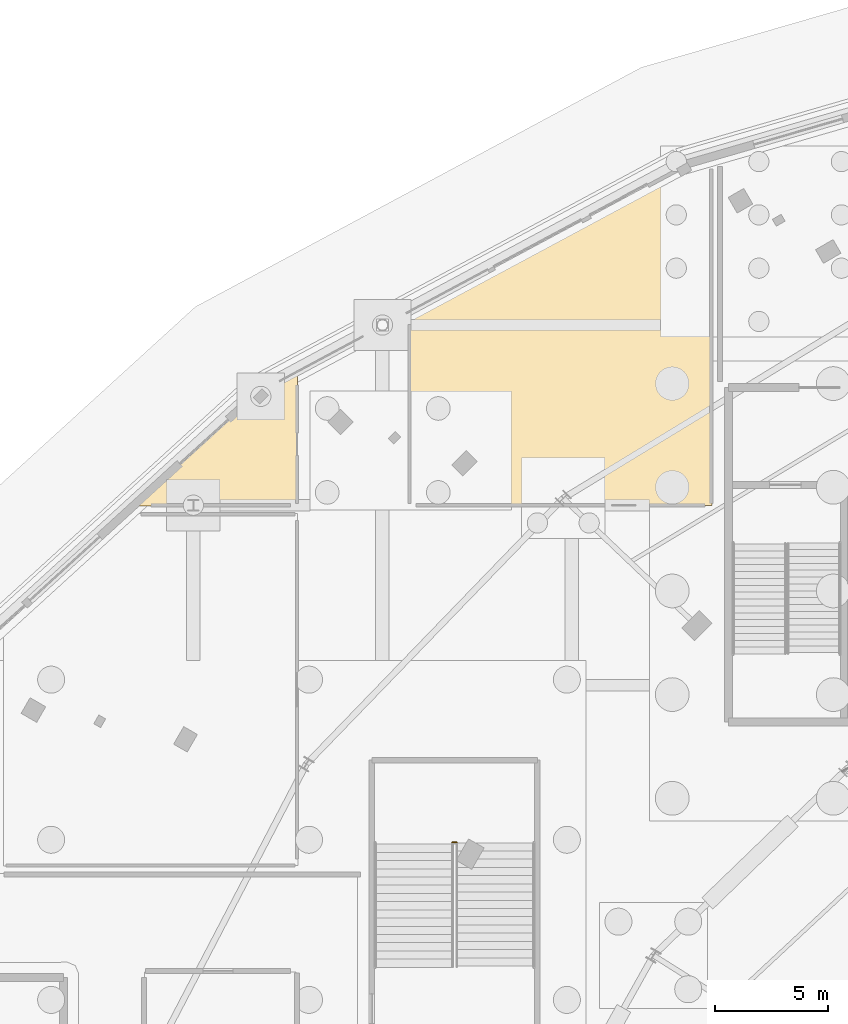
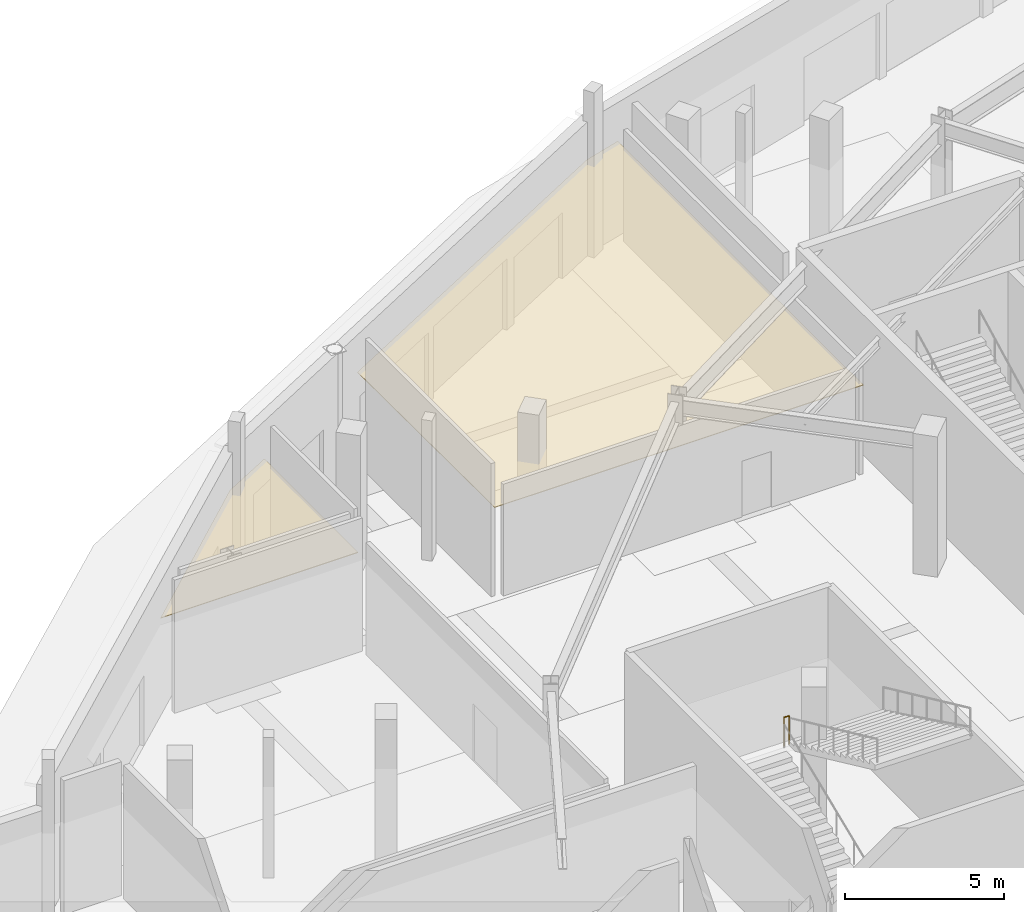
# One storey, part 78 of 93: 2 coverings, 1 railing.
"""IFC4 building model written with IfcOpenShell, lengths in metres."""

import ifcopenshell
import ifcopenshell.guid

model = None  # the IFC model being written
_history = None  # IfcOwnerHistory: only IFC2X3 demands one
_inside = {}  # id of a spatial element -> (the spatial element, [elements in it])
_under = {}  # id of a project, library or spatial element -> (it, [spatial elements below it])
_declared = {}  # id of a project -> (the project, [libraries it declares])
_typed = {}  # id of a type object -> (the type object, [elements of that type])
_made_of = {}  # id of a material, layer set ... -> (it, [elements and type objects made of it])


def new_model(schema):
    """Start an empty IFC model of exactly this schema.

    Asked for "IFC4X3", IfcOpenShell would pick the latest addendum, in which some entities
    have other attributes; the version numbers below select the first issue.
    IFC2X3 requires an IfcOwnerHistory on every rooted entity: one is made here for all.
    """
    global model, _history
    if schema == "IFC4X3":
        model = ifcopenshell.file(schema_version=(4, 3, 0, 0))
    else:
        model = ifcopenshell.file(schema=schema)
    _inside.clear()
    _under.clear()
    _declared.clear()
    _typed.clear()
    _made_of.clear()
    _history = None
    if model.schema == "IFC2X3":
        org = make("IfcOrganization", Name="unknown")
        user = make(
            "IfcPersonAndOrganization",
            ThePerson=make("IfcPerson", FamilyName="unknown"),
            TheOrganization=org,
        )
        app = make(
            "IfcApplication",
            ApplicationDeveloper=org,
            Version="unknown",
            ApplicationFullName="unknown",
            ApplicationIdentifier="unknown",
        )
        _history = make(
            "IfcOwnerHistory",
            OwningUser=user,
            OwningApplication=app,
            ChangeAction="ADDED",
            CreationDate=0,
        )
    return model


def make(cls, **values):
    """One entity of the class cls with the attributes given. An attribute that is None is left unset."""
    return model.create_entity(
        cls, **{name: value for name, value in values.items() if value is not None}
    )


def rooted(cls, **values):
    """An entity with a GlobalId (a new one), such as an element, a storey or a relation."""
    return make(cls, GlobalId=ifcopenshell.guid.new(), OwnerHistory=_history, **values)


def si_unit(unit_type, name, prefix=None):
    """IfcSIUnit, for example si_unit("LENGTHUNIT", "METRE", prefix="MILLI")."""
    return make("IfcSIUnit", UnitType=unit_type, Prefix=prefix, Name=name)


def assignment(units):
    """IfcUnitAssignment: the units of a project."""
    return None if units is None else make("IfcUnitAssignment", Units=units)


def point(xyz):
    """IfcCartesianPoint."""
    return None if xyz is None else make("IfcCartesianPoint", Coordinates=xyz)


def direction(xyz):
    """IfcDirection."""
    return None if xyz is None else make("IfcDirection", DirectionRatios=xyz)


def frame(location, z_axis=None, x_axis=None):
    """IfcAxis2Placement3D, a coordinate frame: its origin and axes. An axis left out is left unset."""
    return make(
        "IfcAxis2Placement3D",
        Location=point(location),
        Axis=direction(z_axis),
        RefDirection=direction(x_axis),
    )


def frame_2d(location, x_axis=None):
    """IfcAxis2Placement2D, a coordinate frame in the plane: its origin and x axis."""
    return make(
        "IfcAxis2Placement2D", Location=point(location), RefDirection=direction(x_axis)
    )


def origin():
    """The frame at (0, 0, 0) with its axes left unset."""
    return frame((0.0, 0.0, 0.0))


def origin_2d():
    """The frame at (0, 0) in the plane with its x axis left unset."""
    return frame_2d((0.0, 0.0))


def place(relative_to, where):
    """IfcLocalPlacement: puts the frame where relative to a parent placement (None: the world)."""
    return make(
        "IfcLocalPlacement", PlacementRelTo=relative_to, RelativePlacement=where
    )


def context(
    kind, dimensions, precision=None, world=None, true_north=None, identifier=None
):
    """IfcGeometricRepresentationContext, for example the 3D "Model" context."""
    return make(
        "IfcGeometricRepresentationContext",
        ContextIdentifier=identifier,
        ContextType=kind,
        CoordinateSpaceDimension=dimensions,
        Precision=precision,
        WorldCoordinateSystem=world,
        TrueNorth=true_north,
    )


def subcontext(parent, identifier, kind, view, scale=None):
    """IfcGeometricRepresentationSubContext, for example "Body" below "Model"."""
    return make(
        "IfcGeometricRepresentationSubContext",
        ContextIdentifier=identifier,
        ContextType=kind,
        ParentContext=parent,
        TargetScale=scale,
        TargetView=view,
    )


def project(units=None, contexts=None):
    """IfcProject with its units and contexts."""
    return rooted(
        "IfcProject",
        Name="project",
        RepresentationContexts=contexts,
        UnitsInContext=assignment(units),
    )


def spatial(cls, under=None, at=None, **own):
    """A site, building, storey or space (cls), placed at a placement, below another one or the project."""
    s = rooted(cls, ObjectPlacement=at, **own)
    if under is not None:
        _under.setdefault(under.id(), (under, []))[1].append(s)
    return s


def polyline(points):
    """IfcPolyline through the points."""
    return make("IfcPolyline", Points=[point(p) for p in points])


def profile(cls, at=None, kind="AREA", **sizes):
    """A parametric profile (cls). Its sizes go by their IFC names, for example OverallWidth=200.0."""
    return make(cls, ProfileType=kind, Position=at, **sizes)


def circle(**sizes):
    """IfcCircleProfileDef."""
    return profile("IfcCircleProfileDef", **sizes)


def outline(outer, holes=None, kind="AREA"):
    """IfcArbitraryClosedProfileDef: a profile drawn as a closed curve; with holes, ...WithVoids."""
    if holes is None:
        return make("IfcArbitraryClosedProfileDef", ProfileType=kind, OuterCurve=outer)
    return make(
        "IfcArbitraryProfileDefWithVoids",
        ProfileType=kind,
        OuterCurve=outer,
        InnerCurves=holes,
    )


def extrude(swept, where, along, depth):
    """IfcExtrudedAreaSolid: the profile swept, set in the frame where, extruded along a direction by depth."""
    return make(
        "IfcExtrudedAreaSolid",
        SweptArea=swept,
        Position=where,
        ExtrudedDirection=direction(along),
        Depth=depth,
    )


def shape(context_of_items, identifier, shape_type, items):
    """IfcShapeRepresentation: the items that make up one representation, for example the "Body"."""
    return make(
        "IfcShapeRepresentation",
        ContextOfItems=context_of_items,
        RepresentationIdentifier=identifier,
        RepresentationType=shape_type,
        Items=items,
    )


def material(Name=None, Category=None):
    """IfcMaterial."""
    return make("IfcMaterial", Name=Name, Category=Category)


def layer(
    of_material, thickness, ventilated=None, Name=None, Category=None, Priority=None
):
    """IfcMaterialLayer: one layer of a wall or slab, of a material (None: an air gap)."""
    return make(
        "IfcMaterialLayer",
        Material=of_material,
        LayerThickness=thickness,
        IsVentilated=ventilated,
        Name=Name,
        Category=Category,
        Priority=Priority,
    )


def layer_set(layers, Name=None):
    """IfcMaterialLayerSet."""
    return make("IfcMaterialLayerSet", MaterialLayers=layers, LayerSetName=Name)


def made_of(thing, what):
    """Note that an element or type object is made of a material, layer set ...; save() writes the relation."""
    if what is not None:
        _made_of.setdefault(what.id(), (what, []))[1].append(thing)
    return thing


def type_object(cls, material=None, **own):
    """A type object (cls), such as IfcWallType, which elements share."""
    return made_of(rooted(cls, **own), material)


def element(
    cls,
    number,
    at=None,
    inside=None,
    cuts=None,
    type_object=None,
    material=None,
    context=None,
    identifier="Body",
    shape_type=None,
    held_by="IfcProductDefinitionShape",
    body=None,
    shapes=None,
    **own,
):
    """One element of the class cls, such as IfcWall. Its Tag is "e" and its number.

    at: its placement. inside: the storey or other place that contains it. cuts: it is an
    opening in that element (IfcRelVoidsElement). A single representation is given by context,
    identifier, shape_type and body (its items); several are given by shapes. held_by: the class
    of the entity that holds the representations. save() writes the other relations.
    """
    e = rooted(cls, Tag="e%d" % number, ObjectPlacement=at, **own)
    if body is not None:
        shapes = [shape(context, identifier, shape_type, body)]
    if shapes is not None:
        e.Representation = make(held_by, Representations=shapes)
    if inside is not None:
        _inside.setdefault(inside.id(), (inside, []))[1].append(e)
    if cuts is not None:
        rooted(
            "IfcRelVoidsElement", RelatingBuildingElement=cuts, RelatedOpeningElement=e
        )
    if type_object is not None:
        _typed.setdefault(type_object.id(), (type_object, []))[1].append(e)
    return made_of(e, material)


def aggregate(whole, parts):
    """IfcRelAggregates: a whole, such as a stair, and the parts it consists of."""
    return rooted("IfcRelAggregates", RelatingObject=whole, RelatedObjects=parts)


def save(model, path):
    """Write the relations noted so far, then the file.

    IfcRelAggregates (storeys below a building ...), IfcRelContainedInSpatialStructure (elements
    in a storey), IfcRelDefinesByType, IfcRelAssociatesMaterial and IfcRelDeclares: one each for
    every whole, place, type object, material and project.
    """
    for whole, parts in _under.values():
        aggregate(whole, parts)
    for where, things in _inside.values():
        rooted(
            "IfcRelContainedInSpatialStructure",
            RelatedElements=things,
            RelatingStructure=where,
        )
    for kind, things in _typed.values():
        rooted("IfcRelDefinesByType", RelatedObjects=things, RelatingType=kind)
    for what, things in _made_of.values():
        rooted("IfcRelAssociatesMaterial", RelatedObjects=things, RelatingMaterial=what)
    for by, libraries in _declared.values():
        rooted("IfcRelDeclares", RelatingContext=by, RelatedDefinitions=libraries)
    model.write(path)


model = new_model("IFC4")

# Units and contexts
model_context = context("Model", 3, precision=1e-05, world=origin(), true_north=direction((0.0, 1.0)))
body_context = subcontext(model_context, "Body", "Model", "MODEL_VIEW")
ifc_project = project(units=[si_unit("LENGTHUNIT", "METRE"), si_unit("AREAUNIT", "SQUARE_METRE"), si_unit("VOLUMEUNIT", "CUBIC_METRE"), si_unit("PLANEANGLEUNIT", "RADIAN"), si_unit("MASSUNIT", "GRAM", prefix="KILO")], contexts=[model_context])

# Site, building, storey
site_placement = place(None, origin())
site = spatial("IfcSite", under=ifc_project, at=site_placement, CompositionType="ELEMENT")
building_placement = place(site_placement, origin())
building = spatial("IfcBuilding", under=site, at=building_placement, Name="Kalgoora Escarpment Arena", CompositionType="ELEMENT")
storey_placement = place(building_placement, origin())
storey = spatial("IfcBuildingStorey", under=building, at=storey_placement, Name="L00", CompositionType="ELEMENT", Elevation=0.0)

# Coverings
ifc_material_1 = material(Name="Perforated acoustic mineral-fibre ceiling tile")
ifc_layer = layer(ifc_material_1, 0.02490234375)
ifc_layer_set = layer_set([ifc_layer], Name="COV-CEIL-ACOUSTIC")
covering_type = type_object("IfcCoveringType", Name="COV-CEIL-ACOUSTIC", PredefinedType="CEILING", material=ifc_layer_set)
covering_1_placement = place(storey_placement, frame((0.0, 0.0, 3.47998046875)))
element("IfcCovering", 1, at=covering_1_placement, inside=storey, type_object=covering_type, Name="L00 Officials Room acoustic suspended ceiling", PredefinedType="CEILING", context=body_context, shape_type="SweptSolid", body=[
    extrude(outline(polyline([(22.62158203125, 103.960693359375), (28.0283203125, 108.948974609375), (29.830810546875, 109.902587890625), (29.825439453125, 103.968994140625), (22.62158203125, 103.960693359375)])), origin(), (0.0, 0.0, 1.0), 0.02490234375),
])
covering_2_placement = place(storey_placement, frame((0.0, 0.0, 3.47998046875)))
element("IfcCovering", 2, at=covering_2_placement, inside=storey, type_object=covering_type, Name="L00 Referee Changing Lounge acoustic suspended ceiling", PredefinedType="CEILING", context=body_context, shape_type="SweptSolid", body=[
    extrude(outline(polyline([(34.792236328125, 103.960693359375), (34.760009765625, 112.5625), (46.8759765625, 119.066162109375), (48.2275390625, 119.4580078125), (48.23095703125, 103.974609375), (34.792236328125, 103.960693359375)])), origin(), (0.0, 0.0, 1.0), 0.02490234375),
])

# Railing
ifc_material_2 = material(Name="Galvanised & powdercoated tubular steel", Category="steel")
railing_type = type_object("IfcRailingType", Name="RAL-GUARD-1120", PredefinedType="GUARDRAIL", material=ifc_material_2)
railing_placement = place(storey_placement, frame((36.705078125, 89.02490234375, 2.699951171875)))
element("IfcRailing", 3, at=railing_placement, inside=storey, type_object=railing_type, Name="ST19 L00 half-landing well guard", PredefinedType="GUARDRAIL", context=body_context, shape_type="SweptSolid", body=[
    extrude(circle(Radius=0.02392578125, at=origin_2d()), frame((0.0, 0.0, 1.09619140625), z_axis=(1.0, 0.0, 0.0), x_axis=(0.0, 1.0, 0.0)), (0.0, 0.0, 1.0), 0.18994140625),
    extrude(circle(Radius=0.02099609375, at=origin_2d()), origin(), (0.0, 0.0, 1.0), 1.072021484375),
    extrude(circle(Radius=0.02099609375, at=origin_2d()), frame((0.18994140625, 0.0, 0.0)), (0.0, 0.0, 1.0), 1.072021484375),
])

save(model, "model.ifc")
